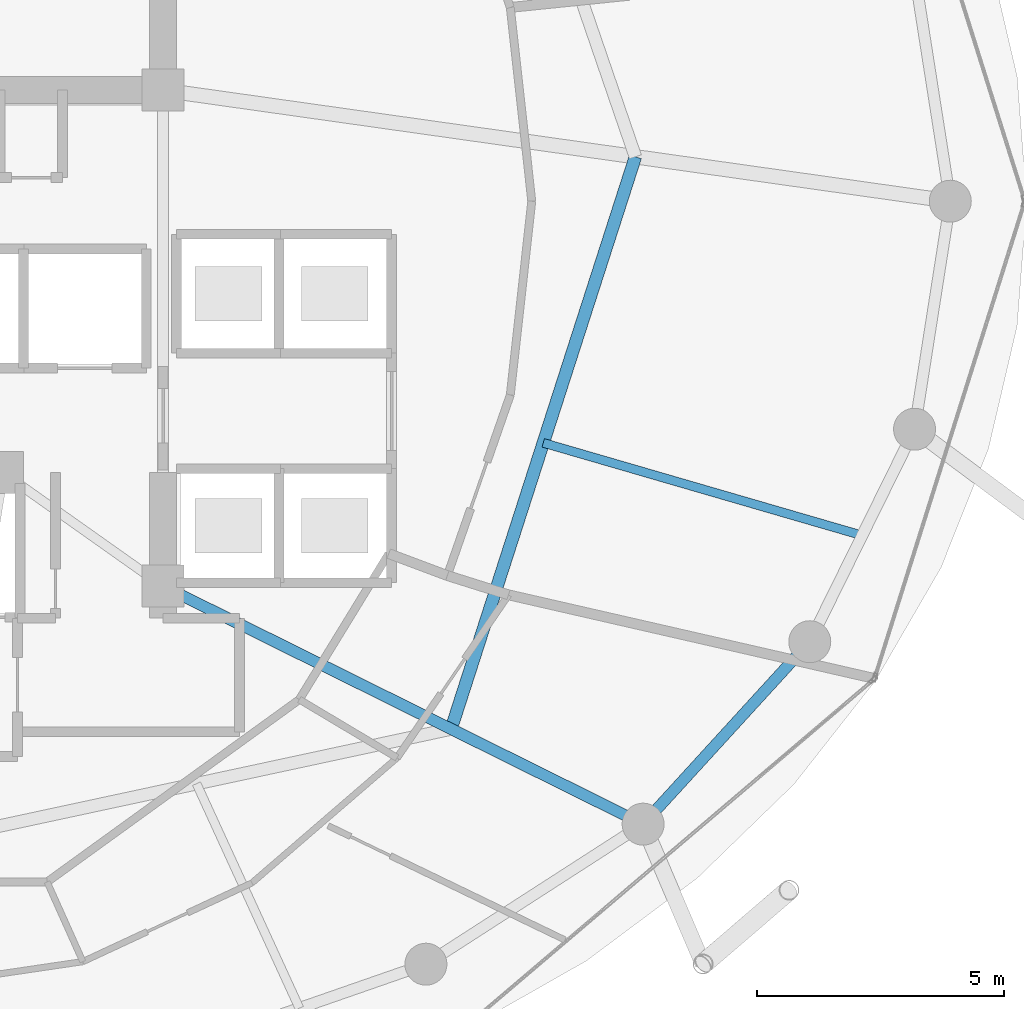
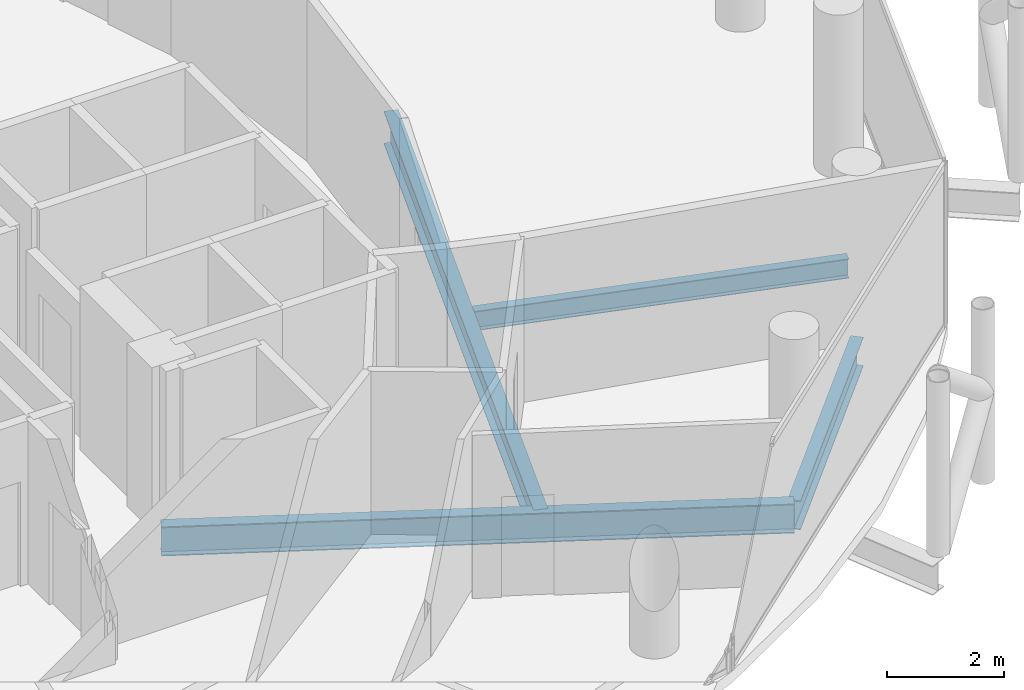
# One storey, part 12 of 27: 4 beams.
"""IFC4 building model written with IfcOpenShell, lengths in metres."""

from ifc_helpers import new_model, si_unit, direction, frame, origin, origin_2d, place, context, subcontext, project, spatial, i_section, extrude, material, material_profile, profile_set, type_object, element, save


model = new_model("IFC4")

# Units and contexts
model_context = context("Model", 3, precision=1e-05, world=origin(), true_north=direction((0.0, 1.0)))
body_context = subcontext(model_context, "Body", "Model", "MODEL_VIEW")
ifc_project = project(units=[si_unit("LENGTHUNIT", "METRE"), si_unit("AREAUNIT", "SQUARE_METRE"), si_unit("VOLUMEUNIT", "CUBIC_METRE"), si_unit("PLANEANGLEUNIT", "RADIAN"), si_unit("MASSUNIT", "GRAM", prefix="KILO")], contexts=[model_context])

# Site, building, storey
site_placement = place(None, origin())
site = spatial("IfcSite", under=ifc_project, at=site_placement, CompositionType="ELEMENT")
building_placement = place(site_placement, origin())
building = spatial("IfcBuilding", under=site, at=building_placement, Name="Nuhasar Tower", CompositionType="ELEMENT")
storey_placement = place(building_placement, frame((0.0, 0.0, 208.14990234375)))
storey = spatial("IfcBuildingStorey", under=building, at=storey_placement, Name="L50", CompositionType="ELEMENT", Elevation=208.14990234375)

# Beams
ifc_material = material(Name="Steel S355", Category="steel")
ifc_material_profile_1 = material_profile(ifc_material, i_section(OverallWidth=0.25390625, OverallDepth=0.68408203125, WebThickness=0.012451171875, FlangeThickness=0.018798828125, at=origin_2d()), Name="W27X94")
ifc_profile_set_1 = profile_set([ifc_material_profile_1], Name="Steel S355")
beam_type_1 = type_object("IfcBeamType", Name="BM-INRING-W27X94", PredefinedType="BEAM", material=ifc_profile_set_1)
beam_1_placement = place(storey_placement, frame((50.135986328125, 16.10693359375, -0.581787109375), z_axis=(0.306589852134, 0.951841721385, 0.0), x_axis=(-0.951841721385, 0.306589852134, 0.0)))
element("IfcBeam", 1, at=beam_1_placement, inside=storey, type_object=beam_type_1, Name="L50 Inner Header Beam 03", PredefinedType="BEAM", context=body_context, shape_type="SweptSolid", body=[
    extrude(i_section(OverallWidth=0.25390625, OverallDepth=0.68408203125, WebThickness=0.012451171875, FlangeThickness=0.018798828125, at=origin_2d()), origin(), (0.0, 0.0, 1.0), 12.179443359375),
])
ifc_material_profile_2 = material_profile(ifc_material, i_section(OverallWidth=0.177978515625, OverallDepth=0.406005859375, WebThickness=0.0078125, FlangeThickness=0.0126953125, at=origin_2d()), Name="W16X40")
ifc_profile_set_2 = profile_set([ifc_material_profile_2], Name="Steel S355")
beam_type_2 = type_object("IfcBeamType", Name="BM-JST-W16X40", PredefinedType="JOIST", material=ifc_profile_set_2)
beam_2_placement = place(storey_placement, frame((52.0029296875, 21.904052734375, -0.44287109375), z_axis=(0.960312689798, -0.27892568511, 0.0), x_axis=(0.27892568511, 0.960312689798, 0.0)))
element("IfcBeam", 2, at=beam_2_placement, inside=storey, type_object=beam_type_2, Name="L50 Secondary Floor Joist 03", PredefinedType="JOIST", context=body_context, shape_type="SweptSolid", body=[
    extrude(i_section(OverallWidth=0.177978515625, OverallDepth=0.406005859375, WebThickness=0.0078125, FlangeThickness=0.0126953125, at=origin_2d()), origin(), (0.0, 0.0, 1.0), 6.729248046875),
])
ifc_material_profile_3 = material_profile(ifc_material, i_section(OverallWidth=0.22900390625, OverallDepth=0.612060546875, WebThickness=0.011962890625, FlangeThickness=0.01953125, at=origin_2d()), Name="W24X84")
ifc_profile_set_3 = profile_set([ifc_material_profile_3], Name="Steel S355")
beam_type_3 = type_object("IfcBeamType", Name="BM-RAD-W24X84", PredefinedType="BEAM", material=ifc_profile_set_3)
beam_3_placement = place(storey_placement, frame((44.300048828125, 19.0, -0.5458984375), z_axis=(0.895928935233, -0.444197414459, 0.0), x_axis=(0.444197414459, 0.895928935233, 0.0)))
element("IfcBeam", 3, at=beam_3_placement, inside=storey, type_object=beam_type_3, Name="L50 Radial Floor Girder 03", PredefinedType="BEAM", context=body_context, shape_type="SweptSolid", body=[
    extrude(i_section(OverallWidth=0.22900390625, OverallDepth=0.612060546875, WebThickness=0.011962890625, FlangeThickness=0.01953125, at=origin_2d()), origin(), (0.0, 0.0, 1.0), 10.85546875),
])
ifc_material_profile_4 = material_profile(ifc_material, i_section(OverallWidth=0.22802734375, OverallDepth=0.60791015625, WebThickness=0.01123046875, FlangeThickness=0.017333984375, at=origin_2d()), Name="W24X76")
ifc_profile_set_4 = profile_set([ifc_material_profile_4], Name="Steel S355")
beam_type_4 = type_object("IfcBeamType", Name="BM-RING-W24X76", PredefinedType="SPANDREL", material=ifc_profile_set_4)
beam_4_placement = place(storey_placement, frame((54.02587890625, 14.177978515625, -0.5439453125), z_axis=(0.674449692975, 0.738320805373, 0.0), x_axis=(-0.738320805373, 0.674449692975, 0.0)))
element("IfcBeam", 4, at=beam_4_placement, inside=storey, type_object=beam_type_4, Name="L50 Perimeter Ring Spandrel 22", PredefinedType="SPANDREL", context=body_context, shape_type="SweptSolid", body=[
    extrude(i_section(OverallWidth=0.22802734375, OverallDepth=0.60791015625, WebThickness=0.01123046875, FlangeThickness=0.017333984375, at=origin_2d()), origin(), (0.0, 0.0, 1.0), 5.00732421875),
])

save(model, "model.ifc")
